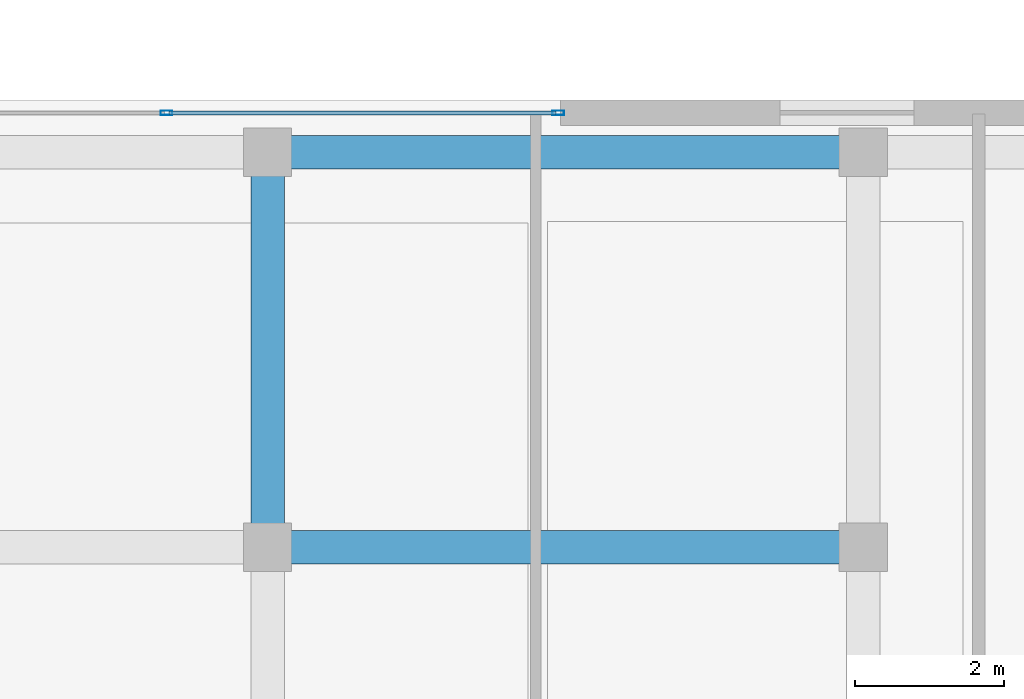
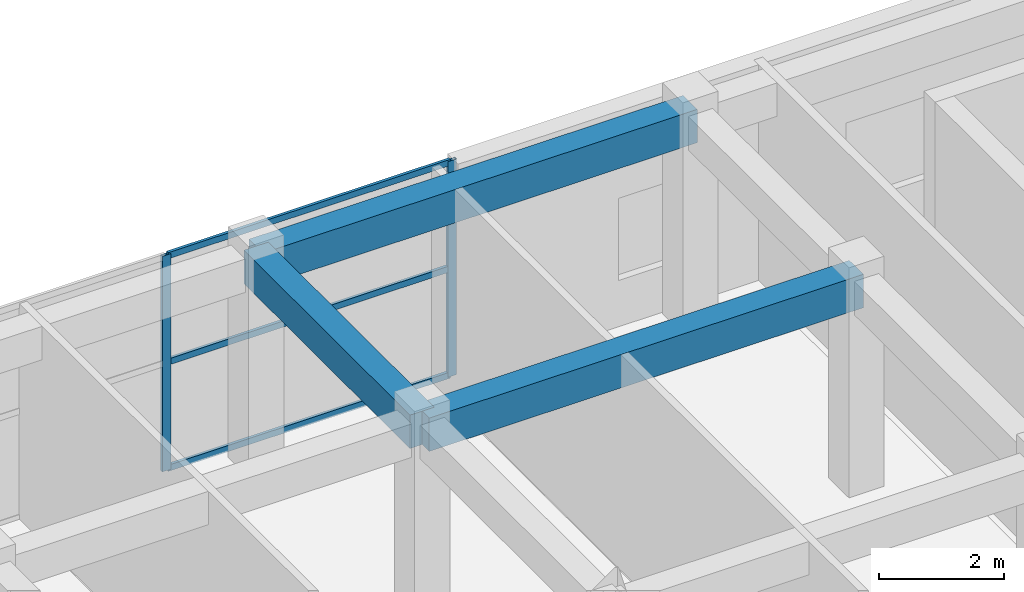
# One storey, part 16 of 28: 5 members, 3 beams, 1 element without a shape of its own.
"""IFC4 building model written with IfcOpenShell, lengths in metres."""

import ifcopenshell
import ifcopenshell.guid

model = None  # the IFC model being written
_history = None  # IfcOwnerHistory: only IFC2X3 demands one
_inside = {}  # id of a spatial element -> (the spatial element, [elements in it])
_under = {}  # id of a project, library or spatial element -> (it, [spatial elements below it])
_declared = {}  # id of a project -> (the project, [libraries it declares])
_typed = {}  # id of a type object -> (the type object, [elements of that type])
_made_of = {}  # id of a material, layer set ... -> (it, [elements and type objects made of it])


def new_model(schema):
    """Start an empty IFC model of exactly this schema.

    Asked for "IFC4X3", IfcOpenShell would pick the latest addendum, in which some entities
    have other attributes; the version numbers below select the first issue.
    IFC2X3 requires an IfcOwnerHistory on every rooted entity: one is made here for all.
    """
    global model, _history
    if schema == "IFC4X3":
        model = ifcopenshell.file(schema_version=(4, 3, 0, 0))
    else:
        model = ifcopenshell.file(schema=schema)
    _inside.clear()
    _under.clear()
    _declared.clear()
    _typed.clear()
    _made_of.clear()
    _history = None
    if model.schema == "IFC2X3":
        org = make("IfcOrganization", Name="unknown")
        user = make(
            "IfcPersonAndOrganization",
            ThePerson=make("IfcPerson", FamilyName="unknown"),
            TheOrganization=org,
        )
        app = make(
            "IfcApplication",
            ApplicationDeveloper=org,
            Version="unknown",
            ApplicationFullName="unknown",
            ApplicationIdentifier="unknown",
        )
        _history = make(
            "IfcOwnerHistory",
            OwningUser=user,
            OwningApplication=app,
            ChangeAction="ADDED",
            CreationDate=0,
        )
    return model


def make(cls, **values):
    """One entity of the class cls with the attributes given. An attribute that is None is left unset."""
    return model.create_entity(
        cls, **{name: value for name, value in values.items() if value is not None}
    )


def rooted(cls, **values):
    """An entity with a GlobalId (a new one), such as an element, a storey or a relation."""
    return make(cls, GlobalId=ifcopenshell.guid.new(), OwnerHistory=_history, **values)


def si_unit(unit_type, name, prefix=None):
    """IfcSIUnit, for example si_unit("LENGTHUNIT", "METRE", prefix="MILLI")."""
    return make("IfcSIUnit", UnitType=unit_type, Prefix=prefix, Name=name)


def assignment(units):
    """IfcUnitAssignment: the units of a project."""
    return None if units is None else make("IfcUnitAssignment", Units=units)


def point(xyz):
    """IfcCartesianPoint."""
    return None if xyz is None else make("IfcCartesianPoint", Coordinates=xyz)


def direction(xyz):
    """IfcDirection."""
    return None if xyz is None else make("IfcDirection", DirectionRatios=xyz)


def frame(location, z_axis=None, x_axis=None):
    """IfcAxis2Placement3D, a coordinate frame: its origin and axes. An axis left out is left unset."""
    return make(
        "IfcAxis2Placement3D",
        Location=point(location),
        Axis=direction(z_axis),
        RefDirection=direction(x_axis),
    )


def frame_2d(location, x_axis=None):
    """IfcAxis2Placement2D, a coordinate frame in the plane: its origin and x axis."""
    return make(
        "IfcAxis2Placement2D", Location=point(location), RefDirection=direction(x_axis)
    )


def origin():
    """The frame at (0, 0, 0) with its axes left unset."""
    return frame((0.0, 0.0, 0.0))


def origin_2d():
    """The frame at (0, 0) in the plane with its x axis left unset."""
    return frame_2d((0.0, 0.0))


def place(relative_to, where):
    """IfcLocalPlacement: puts the frame where relative to a parent placement (None: the world)."""
    return make(
        "IfcLocalPlacement", PlacementRelTo=relative_to, RelativePlacement=where
    )


def context(
    kind, dimensions, precision=None, world=None, true_north=None, identifier=None
):
    """IfcGeometricRepresentationContext, for example the 3D "Model" context."""
    return make(
        "IfcGeometricRepresentationContext",
        ContextIdentifier=identifier,
        ContextType=kind,
        CoordinateSpaceDimension=dimensions,
        Precision=precision,
        WorldCoordinateSystem=world,
        TrueNorth=true_north,
    )


def subcontext(parent, identifier, kind, view, scale=None):
    """IfcGeometricRepresentationSubContext, for example "Body" below "Model"."""
    return make(
        "IfcGeometricRepresentationSubContext",
        ContextIdentifier=identifier,
        ContextType=kind,
        ParentContext=parent,
        TargetScale=scale,
        TargetView=view,
    )


def project(units=None, contexts=None):
    """IfcProject with its units and contexts."""
    return rooted(
        "IfcProject",
        Name="project",
        RepresentationContexts=contexts,
        UnitsInContext=assignment(units),
    )


def spatial(cls, under=None, at=None, **own):
    """A site, building, storey or space (cls), placed at a placement, below another one or the project."""
    s = rooted(cls, ObjectPlacement=at, **own)
    if under is not None:
        _under.setdefault(under.id(), (under, []))[1].append(s)
    return s


def profile(cls, at=None, kind="AREA", **sizes):
    """A parametric profile (cls). Its sizes go by their IFC names, for example OverallWidth=200.0."""
    return make(cls, ProfileType=kind, Position=at, **sizes)


def rectangle(**sizes):
    """IfcRectangleProfileDef."""
    return profile("IfcRectangleProfileDef", **sizes)


def hollow_rectangle(**sizes):
    """IfcRectangleHollowProfileDef."""
    return profile("IfcRectangleHollowProfileDef", **sizes)


def extrude(swept, where, along, depth):
    """IfcExtrudedAreaSolid: the profile swept, set in the frame where, extruded along a direction by depth."""
    return make(
        "IfcExtrudedAreaSolid",
        SweptArea=swept,
        Position=where,
        ExtrudedDirection=direction(along),
        Depth=depth,
    )


def shape(context_of_items, identifier, shape_type, items):
    """IfcShapeRepresentation: the items that make up one representation, for example the "Body"."""
    return make(
        "IfcShapeRepresentation",
        ContextOfItems=context_of_items,
        RepresentationIdentifier=identifier,
        RepresentationType=shape_type,
        Items=items,
    )


def source(mapping_origin, context_of_items, identifier, shape_type, items):
    """IfcRepresentationMap: a shape defined once, which mapped items show again and again."""
    return make(
        "IfcRepresentationMap",
        MappingOrigin=mapping_origin,
        MappedRepresentation=shape(context_of_items, identifier, shape_type, items),
    )


def transform(
    local_origin,
    x_axis=None,
    y_axis=None,
    z_axis=None,
    scale=None,
    scale2=None,
    scale3=None,
    uniform=True,
):
    """IfcCartesianTransformationOperator3D, or its non-uniform kind. x_axis, y_axis, z_axis: its Axis1, 2, 3."""
    if uniform:
        return make(
            "IfcCartesianTransformationOperator3D",
            Axis1=direction(x_axis),
            Axis2=direction(y_axis),
            LocalOrigin=point(local_origin),
            Scale=scale,
            Axis3=direction(z_axis),
        )
    return make(
        "IfcCartesianTransformationOperator3DnonUniform",
        Axis1=direction(x_axis),
        Axis2=direction(y_axis),
        LocalOrigin=point(local_origin),
        Scale=scale,
        Axis3=direction(z_axis),
        Scale2=scale2,
        Scale3=scale3,
    )


def mapped(mapping_source, mapping_target):
    """IfcMappedItem: shows the shape of a source again, moved by a transform."""
    return make(
        "IfcMappedItem", MappingSource=mapping_source, MappingTarget=mapping_target
    )


def material(Name=None, Category=None):
    """IfcMaterial."""
    return make("IfcMaterial", Name=Name, Category=Category)


def layer(
    of_material, thickness, ventilated=None, Name=None, Category=None, Priority=None
):
    """IfcMaterialLayer: one layer of a wall or slab, of a material (None: an air gap)."""
    return make(
        "IfcMaterialLayer",
        Material=of_material,
        LayerThickness=thickness,
        IsVentilated=ventilated,
        Name=Name,
        Category=Category,
        Priority=Priority,
    )


def layer_set(layers, Name=None):
    """IfcMaterialLayerSet."""
    return make("IfcMaterialLayerSet", MaterialLayers=layers, LayerSetName=Name)


def material_profile(
    of_material, cross_section, Name=None, Category=None, Priority=None
):
    """IfcMaterialProfile: a cross section and its material."""
    return make(
        "IfcMaterialProfile",
        Name=Name,
        Material=of_material,
        Profile=cross_section,
        Priority=Priority,
        Category=Category,
    )


def profile_set(profiles, Name=None, composite=None):
    """IfcMaterialProfileSet."""
    return make(
        "IfcMaterialProfileSet",
        Name=Name,
        MaterialProfiles=profiles,
        CompositeProfile=composite,
    )


def made_of(thing, what):
    """Note that an element or type object is made of a material, layer set ...; save() writes the relation."""
    if what is not None:
        _made_of.setdefault(what.id(), (what, []))[1].append(thing)
    return thing


def type_object(cls, material=None, **own):
    """A type object (cls), such as IfcWallType, which elements share."""
    return made_of(rooted(cls, **own), material)


def element(
    cls,
    number,
    at=None,
    inside=None,
    cuts=None,
    type_object=None,
    material=None,
    context=None,
    identifier="Body",
    shape_type=None,
    held_by="IfcProductDefinitionShape",
    body=None,
    shapes=None,
    **own,
):
    """One element of the class cls, such as IfcWall. Its Tag is "e" and its number.

    at: its placement. inside: the storey or other place that contains it. cuts: it is an
    opening in that element (IfcRelVoidsElement). A single representation is given by context,
    identifier, shape_type and body (its items); several are given by shapes. held_by: the class
    of the entity that holds the representations. save() writes the other relations.
    """
    e = rooted(cls, Tag="e%d" % number, ObjectPlacement=at, **own)
    if body is not None:
        shapes = [shape(context, identifier, shape_type, body)]
    if shapes is not None:
        e.Representation = make(held_by, Representations=shapes)
    if inside is not None:
        _inside.setdefault(inside.id(), (inside, []))[1].append(e)
    if cuts is not None:
        rooted(
            "IfcRelVoidsElement", RelatingBuildingElement=cuts, RelatedOpeningElement=e
        )
    if type_object is not None:
        _typed.setdefault(type_object.id(), (type_object, []))[1].append(e)
    return made_of(e, material)


def aggregate(whole, parts):
    """IfcRelAggregates: a whole, such as a stair, and the parts it consists of."""
    return rooted("IfcRelAggregates", RelatingObject=whole, RelatedObjects=parts)


def save(model, path):
    """Write the relations noted so far, then the file.

    IfcRelAggregates (storeys below a building ...), IfcRelContainedInSpatialStructure (elements
    in a storey), IfcRelDefinesByType, IfcRelAssociatesMaterial and IfcRelDeclares: one each for
    every whole, place, type object, material and project.
    """
    for whole, parts in _under.values():
        aggregate(whole, parts)
    for where, things in _inside.values():
        rooted(
            "IfcRelContainedInSpatialStructure",
            RelatedElements=things,
            RelatingStructure=where,
        )
    for kind, things in _typed.values():
        rooted("IfcRelDefinesByType", RelatedObjects=things, RelatingType=kind)
    for what, things in _made_of.values():
        rooted("IfcRelAssociatesMaterial", RelatedObjects=things, RelatingMaterial=what)
    for by, libraries in _declared.values():
        rooted("IfcRelDeclares", RelatingContext=by, RelatedDefinitions=libraries)
    model.write(path)


model = new_model("IFC4")

# Units and contexts
model_context = context("Model", 3, precision=1e-05, world=origin(), true_north=direction((0.0, 1.0)))
body_context = subcontext(model_context, "Body", "Model", "MODEL_VIEW")
ifc_project = project(units=[si_unit("LENGTHUNIT", "METRE"), si_unit("AREAUNIT", "SQUARE_METRE"), si_unit("VOLUMEUNIT", "CUBIC_METRE"), si_unit("PLANEANGLEUNIT", "RADIAN"), si_unit("MASSUNIT", "GRAM", prefix="KILO")], contexts=[model_context])

# Site, building, storey
site_placement = place(None, origin())
site = spatial("IfcSite", under=ifc_project, at=site_placement, CompositionType="ELEMENT")
building_placement = place(site_placement, origin())
building = spatial("IfcBuilding", under=site, at=building_placement, Name="Khoralis Quay Care Tower", CompositionType="ELEMENT")
storey_placement = place(building_placement, frame((0.0, 0.0, 9.0)))
storey = spatial("IfcBuildingStorey", under=building, at=storey_placement, Name="L02", CompositionType="ELEMENT", Elevation=9.0)

# Beams
ifc_material_1 = material(Name="Concrete C40/50", Category="concrete")
ifc_material_profile_1 = material_profile(ifc_material_1, rectangle(XDim=0.449951171875, YDim=0.64990234375, at=origin_2d()), Name="Concrete C40/50")
ifc_profile_set_1 = profile_set([ifc_material_profile_1], Name="Concrete C40/50")
beam_type = type_object("IfcBeamType", Name="BM-RC450X650", PredefinedType="BEAM", material=ifc_profile_set_1)
shared_shape_1 = source(origin(), body_context, "Body", "SweptSolid", [
    extrude(rectangle(XDim=0.449951171875, YDim=0.64990234375, at=origin_2d()), origin(), (0.0, 0.0, 1.0), 8.0),
])
for number, where, z_axis, x_axis, name in (
    (1, (92.0, 36.0, 3.875), (1.0, 0.0, 0.0), (0.0, 1.0, 0.0), "BM-SCX-L02-27"),
    (2, (92.0, 41.300048828125, 3.875), (1.0, 0.0, 0.0), (0.0, 1.0, 0.0), "BM-SCX-L02-31"),
):
    element("IfcBeam", number, at=place(storey_placement, frame(where, z_axis=z_axis, x_axis=x_axis)), inside=storey, type_object=beam_type, Name=name, PredefinedType="BEAM", context=body_context, shape_type="MappedRepresentation", body=[
        mapped(shared_shape_1, transform((0.0, 0.0, 0.0), scale=1.0)),
    ])
shared_shape_2 = source(origin(), body_context, "Body", "SweptSolid", [
    extrude(rectangle(XDim=0.449951171875, YDim=0.64990234375, at=origin_2d()), origin(), (0.0, 0.0, 1.0), 5.300048828125),
])
beam_placement = place(storey_placement, frame((92.0, 36.0, 3.875), z_axis=(0.0, 1.0, 0.0), x_axis=(-1.0, 0.0, 0.0)))
element("IfcBeam", 3, at=beam_placement, inside=storey, type_object=beam_type, Name="BM-SCY-L02-56", PredefinedType="BEAM", context=body_context, shape_type="MappedRepresentation", body=[
    mapped(shared_shape_2, transform((0.0, 0.0, 0.0), scale=1.0)),
])

# Curtain wall, members
ifc_material_2 = material(Name="Pale anodised aluminium", Category="aluminium")
ifc_layer = layer(ifc_material_2, 0.14990234375)
ifc_layer_set = layer_set([ifc_layer], Name="Pale anodised aluminium")
curtain_wall_type = type_object("IfcCurtainWallType", Name="CW-SYS-SCHOOL", PredefinedType="NOTDEFINED", material=ifc_layer_set)
curtain_wall_placement = place(storey_placement, origin())
curtain_wall = element("IfcCurtainWall", 4, at=curtain_wall_placement, inside=storey, type_object=curtain_wall_type, Name="L02 Unitised Curtain Wall CW-SCH-L02-E3", PredefinedType="NOTDEFINED")
ifc_material_profile_2 = material_profile(ifc_material_2, hollow_rectangle(XDim=0.06005859375, YDim=0.159912109375, WallThickness=0.00390625, at=origin_2d()), Name="Pale anodised aluminium")
ifc_profile_set_2 = profile_set([ifc_material_profile_2], Name="Pale anodised aluminium")
member_type_1 = type_object("IfcMemberType", Name="CW-MUL-160", PredefinedType="MULLION", material=ifc_profile_set_2)
shared_shape_3 = source(origin(), body_context, "Body", "SweptSolid", [
    extrude(hollow_rectangle(XDim=0.06005859375, YDim=0.159912109375, WallThickness=0.00390625, at=origin_2d()), origin(), (0.0, 0.0, 1.0), 4.199951171875),
])
member_1_placement = place(storey_placement, frame((95.902099609375, 41.830078125, 0.0), z_axis=(0.0, 0.0, 1.0), x_axis=(0.0, -1.0, 0.0)))
member_1 = element("IfcMember", 5, at=member_1_placement, type_object=member_type_1, Name="CW6 mullion 1", PredefinedType="MULLION", context=body_context, shape_type="MappedRepresentation", body=[
    mapped(shared_shape_3, transform((0.0, 0.0, 0.0), scale=1.0)),
])
member_2_placement = place(storey_placement, frame((90.64404296875, 41.830078125, 0.0), z_axis=(0.0, 0.0, 1.0), x_axis=(0.0, -1.0, 0.0)))
member_2 = element("IfcMember", 6, at=member_2_placement, type_object=member_type_1, Name="CW6 mullion 2", PredefinedType="MULLION", context=body_context, shape_type="MappedRepresentation", body=[
    mapped(shared_shape_3, transform((0.0, 0.0, 0.0), scale=1.0)),
])
ifc_material_profile_3 = material_profile(ifc_material_2, hollow_rectangle(XDim=0.054931640625, YDim=0.1201171875, WallThickness=0.00390625, at=origin_2d()), Name="Pale anodised aluminium")
ifc_profile_set_3 = profile_set([ifc_material_profile_3], Name="Pale anodised aluminium")
member_type_2 = type_object("IfcMemberType", Name="CW-TRN-120", PredefinedType="USERDEFINED", material=ifc_profile_set_3)
shared_shape_4 = source(origin(), body_context, "Body", "SweptSolid", [
    extrude(hollow_rectangle(XDim=0.054931640625, YDim=0.1201171875, WallThickness=0.00390625, at=origin_2d()), origin(), (0.0, 0.0, 1.0), 5.197998046875),
])
member_3_placement = place(storey_placement, frame((95.8720703125, 41.830078125, 0.030029296875), z_axis=(-1.0, 0.0, 0.0), x_axis=(0.0, -1.0, 0.0)))
member_3 = element("IfcMember", 7, at=member_3_placement, type_object=member_type_2, Name="CW6 transom 1.1", ObjectType="TRANSOM", PredefinedType="USERDEFINED", context=body_context, shape_type="MappedRepresentation", body=[
    mapped(shared_shape_4, transform((0.0, 0.0, 0.0), scale=1.0)),
])
member_4_placement = place(storey_placement, frame((95.8720703125, 41.830078125, 2.10009765625), z_axis=(-1.0, 0.0, 0.0), x_axis=(0.0, -1.0, 0.0)))
member_4 = element("IfcMember", 8, at=member_4_placement, type_object=member_type_2, Name="CW6 transom 1.2", ObjectType="TRANSOM", PredefinedType="USERDEFINED", context=body_context, shape_type="MappedRepresentation", body=[
    mapped(shared_shape_4, transform((0.0, 0.0, 0.0), scale=1.0)),
])
member_5_placement = place(storey_placement, frame((95.8720703125, 41.830078125, 4.169921875), z_axis=(-1.0, 0.0, 0.0), x_axis=(0.0, -1.0, 0.0)))
member_5 = element("IfcMember", 9, at=member_5_placement, type_object=member_type_2, Name="CW6 transom 1.3", ObjectType="TRANSOM", PredefinedType="USERDEFINED", context=body_context, shape_type="MappedRepresentation", body=[
    mapped(shared_shape_4, transform((0.0, 0.0, 0.0), scale=1.0)),
])
aggregate(curtain_wall, [member_1, member_2, member_3, member_4, member_5])

save(model, "model.ifc")
